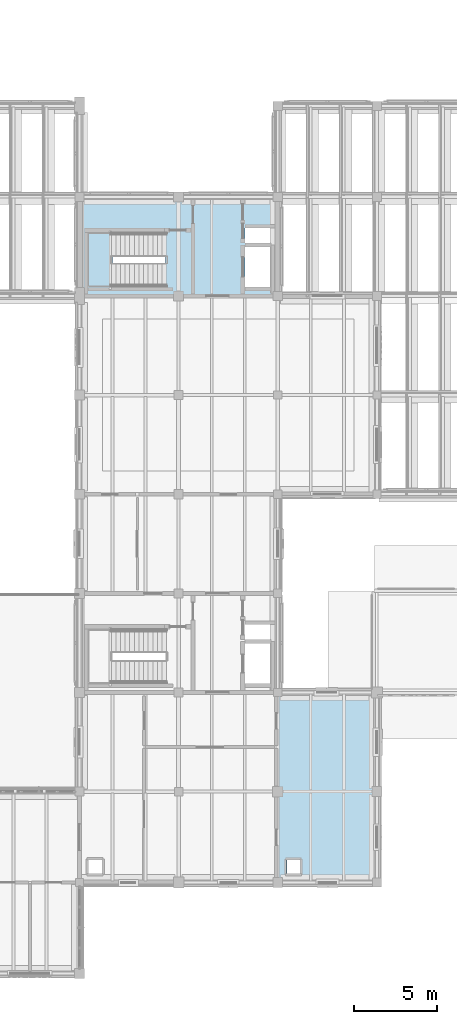
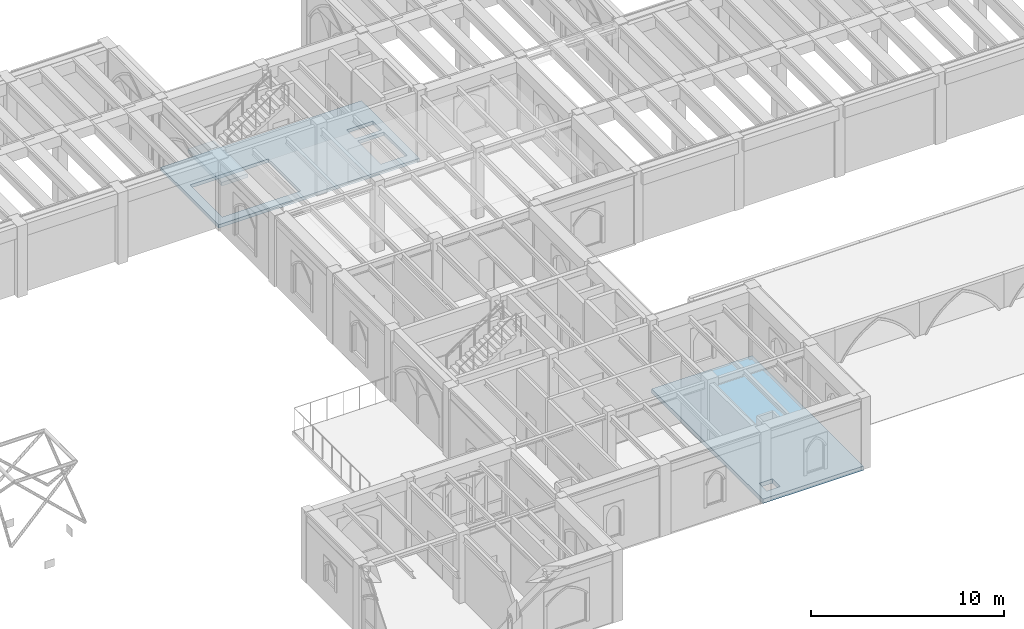
# One storey, part 73 of 127: 3 slabs, 1 element without a shape of its own.
"""IFC4 building model written with IfcOpenShell, lengths in metres."""

from ifc_helpers import new_model, si_unit, direction, frame, origin, place, context, subcontext, project, spatial, polyline, outline, extrude, material, layer, layer_set, type_object, element, aggregate, save


model = new_model("IFC4")

# Units and contexts
model_context = context("Model", 3, precision=1e-05, world=origin(), true_north=direction((0.0, 1.0)))
body_context = subcontext(model_context, "Body", "Model", "MODEL_VIEW")
ifc_project = project(units=[si_unit("LENGTHUNIT", "METRE"), si_unit("AREAUNIT", "SQUARE_METRE"), si_unit("VOLUMEUNIT", "CUBIC_METRE"), si_unit("PLANEANGLEUNIT", "RADIAN"), si_unit("MASSUNIT", "GRAM", prefix="KILO")], contexts=[model_context])

# Site, building, storey
site_placement = place(None, origin())
site = spatial("IfcSite", under=ifc_project, at=site_placement, CompositionType="ELEMENT")
building_placement = place(site_placement, origin())
building = spatial("IfcBuilding", under=site, at=building_placement, Name="Cumevento Cable Car Station", CompositionType="ELEMENT")
storey_placement = place(building_placement, frame((0.0, 0.0, 4.5)))
storey = spatial("IfcBuildingStorey", under=building, at=storey_placement, Name="L02", CompositionType="ELEMENT", Elevation=4.5)

# Slabs
ifc_material_1 = material(Name="Concrete C40/50", Category="concrete")
ifc_layer_1 = layer(ifc_material_1, 0.2119140625)
ifc_layer_set_1 = layer_set([ifc_layer_1], Name="Concrete C40/50")
slab_type_1 = type_object("IfcSlabType", Name="Concrete Deck FS-212 212", PredefinedType="FLOOR", material=ifc_layer_set_1)
slab_1_placement = place(storey_placement, frame((0.0, 0.0, -0.2119140625)))
element("IfcSlab", 1, at=slab_1_placement, inside=storey, type_object=slab_type_1, Name="Floor Slab FS-212 L02 B_V5c_core.1", PredefinedType="FLOOR", context=body_context, shape_type="SweptSolid", body=[
    extrude(outline(polyline([(118.0, 45.0), (130.0, 45.0), (130.0, 51.0), (118.0, 51.0), (118.0, 45.0)]), holes=[polyline([(128.010009765625, 45.5400390625), (129.580078125, 45.5400390625), (129.580078125, 47.9599609375), (128.010009765625, 47.9599609375), (128.010009765625, 45.5400390625)]), polyline([(118.52001953125, 45.52001953125), (123.199951171875, 45.52001953125), (123.199951171875, 48.85009765625), (118.52001953125, 48.85009765625), (118.52001953125, 45.52001953125)]), polyline([(128.010009765625, 48.199951171875), (129.580078125, 48.199951171875), (129.580078125, 49.10009765625), (128.010009765625, 49.10009765625), (128.010009765625, 48.199951171875)])]), origin(), (0.0, 0.0, 1.0), 0.2119140625),
])
ifc_material_2 = material(Name="Concrete C40/50", Category="concrete")
ifc_layer_2 = layer(ifc_material_2, 0.27197265625)
ifc_layer_set_2 = layer_set([ifc_layer_2], Name="Concrete C40/50")
slab_type_2 = type_object("IfcSlabType", Name="Concrete Deck FS-272 272", PredefinedType="FLOOR", material=ifc_layer_set_2)
slab_2_placement = place(storey_placement, frame((0.0, 0.0, -0.27197265625)))
element("IfcSlab", 2, at=slab_2_placement, inside=storey, type_object=slab_type_2, Name="Floor Slab FS-272 L02 B_V4a.2", PredefinedType="FLOOR", context=body_context, shape_type="SweptSolid", body=[
    extrude(outline(polyline([(130.0, 9.5), (136.0, 9.5), (136.0, 21.0), (130.0, 21.0), (130.0, 9.5)]), holes=[polyline([(130.550048828125, 10.050048828125), (131.35009765625, 10.050048828125), (131.35009765625, 10.85009765625), (130.550048828125, 10.85009765625), (130.550048828125, 10.050048828125)])]), origin(), (0.0, 0.0, 1.0), 0.27197265625),
])

# Stair, slab
ifc_material_3 = material(Name="Concrete C40/50", Category="concrete")
stair_type = type_object("IfcStairType", Name="Half-Turn Stair ST-T07 1440", PredefinedType="HALF_TURN_STAIR", material=ifc_material_3)
stair_placement = place(storey_placement, origin())
stair = element("IfcStair", 3, at=stair_placement, inside=storey, type_object=stair_type, Name="Enclosed Exit Stair ST-06 (L02 to L03)", PredefinedType="HALF_TURN_STAIR")
ifc_material_4 = material(Name="Concrete C40/50", Category="concrete")
ifc_layer_3 = layer(ifc_material_4, 0.23095703125)
ifc_layer_set_3 = layer_set([ifc_layer_3], Name="Concrete C40/50")
slab_type_3 = type_object("IfcSlabType", Name="Stair Landing STL-T07 231", PredefinedType="LANDING", material=ifc_layer_set_3)
slab_3_placement = place(storey_placement, frame((0.0, 0.0, 2.01904296875)))
slab_3 = element("IfcSlab", 4, at=slab_3_placement, type_object=slab_type_3, Name="ST-06-L02 Half-Landing", PredefinedType="LANDING", context=body_context, shape_type="SweptSolid", body=[
    extrude(outline(polyline([(118.43994140625, 45.43994140625), (120.0, 45.43994140625), (120.0, 48.929931640625), (118.43994140625, 48.929931640625), (118.43994140625, 45.43994140625)])), origin(), (0.0, 0.0, 1.0), 0.23095703125),
])
aggregate(stair, [slab_3])

save(model, "model.ifc")
